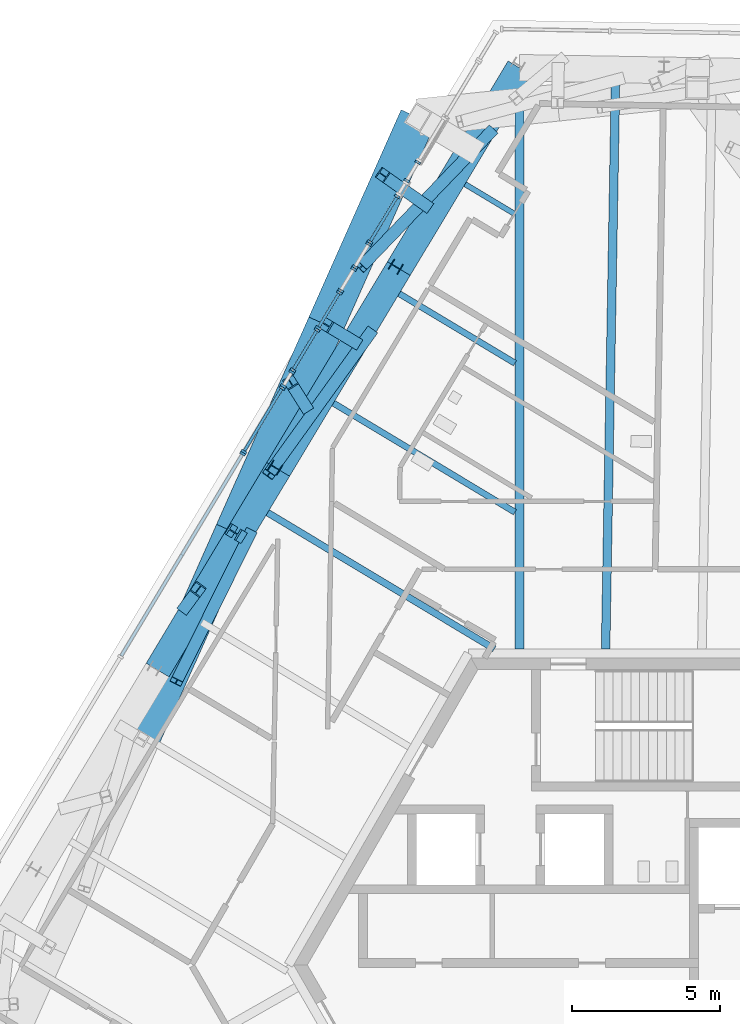
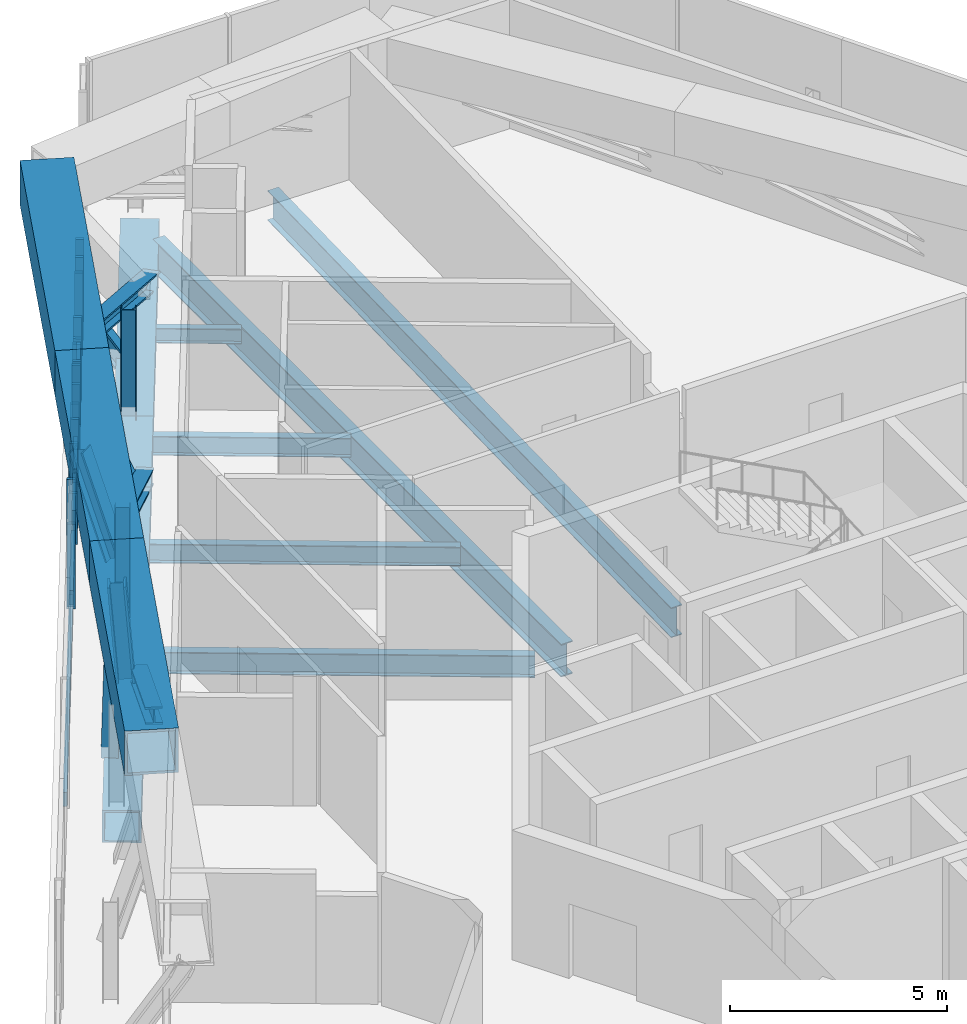
# One storey, part 7 of 28: 38 members, 6 beams, 9 elements without a shape of their own.
"""IFC4 building model written with IfcOpenShell, lengths in metres."""

from ifc_helpers import new_model, si_unit, direction, frame, origin, origin_2d, place, context, subcontext, project, spatial, rectangle, hollow_rectangle, i_section, extrude, source, transform, mapped, material, material_profile, profile_set, type_object, element, aggregate, save


model = new_model("IFC4")

# Units and contexts
model_context = context("Model", 3, precision=1e-05, world=origin(), true_north=direction((0.0, 1.0)))
body_context = subcontext(model_context, "Body", "Model", "MODEL_VIEW")
ifc_project = project(units=[si_unit("LENGTHUNIT", "METRE"), si_unit("AREAUNIT", "SQUARE_METRE"), si_unit("VOLUMEUNIT", "CUBIC_METRE"), si_unit("PLANEANGLEUNIT", "RADIAN"), si_unit("MASSUNIT", "GRAM", prefix="KILO")], contexts=[model_context])

# Site, building, storey
site_placement = place(None, origin())
site = spatial("IfcSite", under=ifc_project, at=site_placement, CompositionType="ELEMENT")
building_placement = place(site_placement, origin())
building = spatial("IfcBuilding", under=site, at=building_placement, Name="Triune Harvest Tower", CompositionType="ELEMENT")
storey_placement = place(building_placement, frame((0.0, 0.0, 215.89990234375)))
storey = spatial("IfcBuildingStorey", under=building, at=storey_placement, Name="L56", CompositionType="ELEMENT", Elevation=215.89990234375)

# Beams
ifc_material_1 = material(Name="Steel ASTM A992 Gr 50", Category="steel")
ifc_material_profile_1 = material_profile(ifc_material_1, i_section(OverallWidth=0.180908203125, OverallDepth=0.41650390625, WebThickness=0.010986328125, FlangeThickness=0.01806640625, at=origin_2d()), Name="W16x57")
ifc_profile_set_1 = profile_set([ifc_material_profile_1], Name="Steel ASTM A992 Gr 50")
beam_type_1 = type_object("IfcBeamType", Name="JT-1 Floor joist W16x57", PredefinedType="JOIST", material=ifc_profile_set_1)
beam_1_placement = place(storey_placement, frame((-6.200439453125, 26.425537109375, -0.458251953125), z_axis=(0.857208325272, -0.514969792399, 0.0), x_axis=(0.514969792399, 0.857208325272, 0.0)))
element("IfcBeam", 1, at=beam_1_placement, inside=storey, type_object=beam_type_1, Name="beam/L56/JT13", PredefinedType="JOIST", context=body_context, shape_type="SweptSolid", body=[
    extrude(i_section(OverallWidth=0.180908203125, OverallDepth=0.41650390625, WebThickness=0.010986328125, FlangeThickness=0.01806640625, at=origin_2d()), origin(), (0.0, 0.0, 1.0), 1.968994140625),
])
ifc_material_2 = material(Name="Steel ASTM A992 Gr 50", Category="steel")
ifc_material_profile_2 = material_profile(ifc_material_2, i_section(OverallWidth=0.2919921875, OverallDepth=0.8408203125, WebThickness=0.0146484375, FlangeThickness=0.021728515625, at=origin_2d()), Name="W33x130")
ifc_profile_set_2 = profile_set([ifc_material_profile_2], Name="Steel ASTM A992 Gr 50")
beam_type_2 = type_object("IfcBeamType", Name="JT-6 Floor joist W33x130", PredefinedType="JOIST", material=ifc_profile_set_2)
beam_2_placement = place(storey_placement, frame((-1.108642578125, 29.85693359375, -0.67041015625), z_axis=(-0.017454239969, -0.99984766315, 0.0), x_axis=(0.99984766315, -0.017454239969, 0.0)))
element("IfcBeam", 2, at=beam_2_placement, inside=storey, type_object=beam_type_2, Name="beam/L56/JT12", PredefinedType="JOIST", context=body_context, shape_type="SweptSolid", body=[
    extrude(i_section(OverallWidth=0.2919921875, OverallDepth=0.8408203125, WebThickness=0.0146484375, FlangeThickness=0.021728515625, at=origin_2d()), origin(), (0.0, 0.0, 1.0), 19.162841796875),
])

# Members
ifc_material_3 = material(Name="Steel ASTM A572 Gr 50", Category="steel")
ifc_material_profile_3 = material_profile(ifc_material_3, hollow_rectangle(XDim=0.89990234375, YDim=0.89990234375, WallThickness=0.050048828125, at=origin_2d()), Name="Box 900x900x50")
ifc_profile_set_3 = profile_set([ifc_material_profile_3], Name="Steel ASTM A572 Gr 50")
member_type_1 = type_object("IfcMemberType", Name="TC-2 Belt truss chord Box 900x900x50", PredefinedType="CHORD", material=ifc_profile_set_3)
member_1_placement = place(storey_placement, frame((-4.359130859375, 30.36376953125, -0.699951171875), z_axis=(-0.5150210223, -0.857177546713, 0.0), x_axis=(0.857177546713, -0.5150210223, 0.0)))
element("IfcMember", 3, at=member_1_placement, inside=storey, type_object=member_type_1, Name="truss/L56/TCB9", PredefinedType="CHORD", context=body_context, shape_type="SweptSolid", body=[
    extrude(hollow_rectangle(XDim=0.89990234375, YDim=0.89990234375, WallThickness=0.050048828125, at=origin_2d()), origin(), (0.0, 0.0, 1.0), 7.927490234375),
])
ifc_material_4 = material(Name="Steel ASTM A992 Gr 50", Category="steel")
ifc_material_profile_4 = material_profile(ifc_material_4, i_section(OverallWidth=0.40380859375, OverallDepth=0.406494140625, WebThickness=0.027099609375, FlangeThickness=0.043701171875, at=origin_2d()), Name="W14x233")
ifc_profile_set_4 = profile_set([ifc_material_profile_4], Name="Steel ASTM A992 Gr 50")
member_type_2 = type_object("IfcMemberType", Name="TD-3 Belt truss diagonal W14x233", PredefinedType="BRACE", material=ifc_profile_set_4)
member_2_placement = place(storey_placement, frame((-9.371337890625, 21.439453125, -0.324951171875), z_axis=(-0.529971963322, -0.737015535278, 0.419449423473), x_axis=(0.811888987344, -0.583811846599, 0.0)))
element("IfcMember", 4, at=member_2_placement, inside=storey, type_object=member_type_2, Name="truss/L56/TD19", PredefinedType="BRACE", context=body_context, shape_type="SweptSolid", body=[
    extrude(i_section(OverallWidth=0.40380859375, OverallDepth=0.406494140625, WebThickness=0.027099609375, FlangeThickness=0.043701171875, at=origin_2d()), origin(), (0.0, 0.0, 1.0), 6.55615234375),
])

# Curtain wall, member
ifc_material_5 = material(Name="Aluminium bronze anodised", Category="aluminium")
curtain_wall_type = type_object("IfcCurtainWallType", Name="CW-5 Plant louvre wall", PredefinedType="NOTDEFINED", material=ifc_material_5)
curtain_wall_1_placement = place(storey_placement, origin())
curtain_wall_1 = element("IfcCurtainWall", 5, at=curtain_wall_1_placement, inside=storey, type_object=curtain_wall_type, Name="CW-5 B5-F3 L56 run 501")
ifc_material_6 = material(Name="Aluminium bronze anodised", Category="aluminium")
ifc_material_profile_5 = material_profile(ifc_material_6, rectangle(XDim=0.10009765625, YDim=0.39990234375, at=origin_2d()), Name="TR-5 transom 100 x 400")
ifc_profile_set_5 = profile_set([ifc_material_profile_5], Name="Aluminium bronze anodised")
member_type_3 = type_object("IfcMemberType", Name="TR-5 transom 100 x 400", PredefinedType="USERDEFINED", material=ifc_profile_set_5)
member_3_placement = place(storey_placement, frame((-8.513916015625, 25.97705078125, 0.2001953125), z_axis=(-0.515080071845, -0.857142064997, 0.0), x_axis=(0.857142064997, -0.515080071845, 0.0)))
member_3 = element("IfcMember", 6, at=member_3_placement, type_object=member_type_3, Name="CW-5 transom B5-F3 501.1", ObjectType="TRANSOM", PredefinedType="USERDEFINED", context=body_context, shape_type="SweptSolid", body=[
    extrude(rectangle(XDim=0.10009765625, YDim=0.39990234375, at=origin_2d()), origin(), (0.0, 0.0, 1.0), 1.72021484375),
])

curtain_wall_2_placement = place(storey_placement, origin())
curtain_wall_2 = element("IfcCurtainWall", 7, at=curtain_wall_2_placement, inside=storey, type_object=curtain_wall_type, Name="CW-5 B5-F3 L56 run 1101")
member_4_placement = place(storey_placement, frame((-12.41162109375, 19.490234375, 0.2001953125), z_axis=(-0.515086030561, -0.857138484214, 0.0), x_axis=(0.857138484214, -0.515086030561, 0.0)))
member_4 = element("IfcMember", 8, at=member_4_placement, type_object=member_type_3, Name="CW-5 transom B5-F3 1101.1", ObjectType="TRANSOM", PredefinedType="USERDEFINED", context=body_context, shape_type="SweptSolid", body=[
    extrude(rectangle(XDim=0.10009765625, YDim=0.39990234375, at=origin_2d()), origin(), (0.0, 0.0, 1.0), 2.432373046875),
])

# Beams
ifc_material_7 = material(Name="Steel ASTM A992 Gr 50", Category="steel")
ifc_material_profile_6 = material_profile(ifc_material_7, i_section(OverallWidth=0.307373046875, OverallDepth=0.922119140625, WebThickness=0.018310546875, FlangeThickness=0.030029296875, at=origin_2d()), Name="W36x182")
ifc_profile_set_6 = profile_set([ifc_material_profile_6], Name="Steel ASTM A992 Gr 50")
beam_type_3 = type_object("IfcBeamType", Name="HG-2 Hip girder W36x182", PredefinedType="BEAM", material=ifc_profile_set_6)
shared_shape_1 = source(origin(), body_context, "Body", "SweptSolid", [
    extrude(i_section(OverallWidth=0.307373046875, OverallDepth=0.922119140625, WebThickness=0.018310546875, FlangeThickness=0.030029296875, at=origin_2d()), origin(), (0.0, 0.0, 1.0), 18.79296875),
])
beam_3_placement = place(storey_placement, frame((-4.359130859375, 29.489990234375, -0.7109375), z_axis=(0.0, -1.0, 0.0), x_axis=(1.0, 0.0, 0.0)))
element("IfcBeam", 9, at=beam_3_placement, inside=storey, type_object=beam_type_3, Name="beam/L56/HG4", PredefinedType="BEAM", context=body_context, shape_type="MappedRepresentation", body=[
    mapped(shared_shape_1, transform((0.0, 0.0, 0.0), scale=1.0)),
])
ifc_material_8 = material(Name="Steel ASTM A992 Gr 50", Category="steel")
ifc_material_profile_7 = material_profile(ifc_material_8, i_section(OverallWidth=0.2099609375, OverallDepth=0.535888671875, WebThickness=0.010986328125, FlangeThickness=0.017333984375, at=origin_2d()), Name="W21x68")
ifc_profile_set_7 = profile_set([ifc_material_profile_7], Name="Steel ASTM A992 Gr 50")
beam_type_4 = type_object("IfcBeamType", Name="JT-2 Floor joist W21x68", PredefinedType="JOIST", material=ifc_profile_set_7)
shared_shape_2 = source(origin(), body_context, "Body", "SweptSolid", [
    extrude(i_section(OverallWidth=0.2099609375, OverallDepth=0.535888671875, WebThickness=0.010986328125, FlangeThickness=0.017333984375, at=origin_2d()), origin(), (0.0, 0.0, 1.0), 4.56689453125),
])
beam_4_placement = place(storey_placement, frame((-8.42724609375, 22.71923828125, -0.517822265625), z_axis=(0.857172001178, -0.515030251924, 0.0), x_axis=(0.515030251924, 0.857172001178, 0.0)))
element("IfcBeam", 10, at=beam_4_placement, inside=storey, type_object=beam_type_4, Name="beam/L56/JT14", PredefinedType="JOIST", context=body_context, shape_type="MappedRepresentation", body=[
    mapped(shared_shape_2, transform((0.0, 0.0, 0.0), scale=1.0)),
])
shared_shape_3 = source(origin(), body_context, "Body", "SweptSolid", [
    extrude(i_section(OverallWidth=0.2099609375, OverallDepth=0.535888671875, WebThickness=0.010986328125, FlangeThickness=0.017333984375, at=origin_2d()), origin(), (0.0, 0.0, 1.0), 7.1650390625),
])
beam_5_placement = place(storey_placement, frame((-10.654296875, 19.012939453125, -0.517822265625), z_axis=(0.85717105737, -0.515031822712, 0.0), x_axis=(0.515031822712, 0.85717105737, 0.0)))
element("IfcBeam", 11, at=beam_5_placement, inside=storey, type_object=beam_type_4, Name="beam/L56/JT15", PredefinedType="JOIST", context=body_context, shape_type="MappedRepresentation", body=[
    mapped(shared_shape_3, transform((0.0, 0.0, 0.0), scale=1.0)),
])
ifc_material_9 = material(Name="Steel ASTM A992 Gr 50", Category="steel")
ifc_material_profile_8 = material_profile(ifc_material_9, i_section(OverallWidth=0.22900390625, OverallDepth=0.612060546875, WebThickness=0.011962890625, FlangeThickness=0.01953125, at=origin_2d()), Name="W24x84")
ifc_profile_set_8 = profile_set([ifc_material_profile_8], Name="Steel ASTM A992 Gr 50")
beam_type_5 = type_object("IfcBeamType", Name="JT-3 Floor joist W24x84", PredefinedType="JOIST", material=ifc_profile_set_8)
shared_shape_4 = source(origin(), body_context, "Body", "SweptSolid", [
    extrude(i_section(OverallWidth=0.22900390625, OverallDepth=0.612060546875, WebThickness=0.011962890625, FlangeThickness=0.01953125, at=origin_2d()), origin(), (0.0, 0.0, 1.0), 8.94970703125),
])
beam_6_placement = place(storey_placement, frame((-12.88134765625, 15.306396484375, -0.555908203125), z_axis=(0.857170219587, -0.515033217039, 0.0), x_axis=(0.515033217039, 0.857170219587, 0.0)))
element("IfcBeam", 12, at=beam_6_placement, inside=storey, type_object=beam_type_5, Name="beam/L56/JT16", PredefinedType="JOIST", context=body_context, shape_type="MappedRepresentation", body=[
    mapped(shared_shape_4, transform((0.0, 0.0, 0.0), scale=1.0)),
])

# Members
ifc_material_10 = material(Name="Steel ASTM A992 Gr 50", Category="steel")
ifc_material_profile_9 = material_profile(ifc_material_10, i_section(OverallWidth=0.370849609375, OverallDepth=0.36328125, WebThickness=0.013427734375, FlangeThickness=0.021728515625, at=origin_2d()), Name="W14x109")
ifc_profile_set_9 = profile_set([ifc_material_profile_9], Name="Steel ASTM A992 Gr 50")
member_type_4 = type_object("IfcMemberType", Name="WP-5 Roof edge post W14x109", PredefinedType="POST", material=ifc_profile_set_9)
shared_shape_5 = source(origin(), body_context, "Body", "SweptSolid", [
    extrude(i_section(OverallWidth=0.370849609375, OverallDepth=0.36328125, WebThickness=0.013427734375, FlangeThickness=0.021728515625, at=origin_2d()), origin(), (0.0, 0.0, 1.0), 2.9755859375),
])
for number, where, z_axis, x_axis, name in (
    (13, (-8.544921875, 23.630615234375, -0.25), (0.0, 0.0, 1.0), (-0.51503657887, -0.857168199612, 0.0), "post/L56/W9"),
    (14, (-12.627685546875, 16.835693359375, -0.25), (0.0, 0.0, 1.0), (-0.51503657887, -0.857168199612, 0.0), "post/L56/W10"),
):
    element("IfcMember", number, at=place(storey_placement, frame(where, z_axis=z_axis, x_axis=x_axis)), inside=storey, type_object=member_type_4, Name=name, PredefinedType="POST", context=body_context, shape_type="MappedRepresentation", body=[
        mapped(shared_shape_5, transform((0.0, 0.0, 0.0), scale=1.0)),
    ])
shared_shape_6 = source(origin(), body_context, "Body", "SweptSolid", [
    extrude(hollow_rectangle(XDim=0.89990234375, YDim=0.89990234375, WallThickness=0.050048828125, at=origin_2d()), origin(), (0.0, 0.0, 1.0), 7.92724609375),
])
for number, where, z_axis, x_axis, name in (
    (15, (-8.44189453125, 23.568603515625, -0.699951171875), (-0.515034618449, -0.857169377544, 0.0), (0.857169377544, -0.515034618449, 0.0), "truss/L56/TCB10"),
    (16, (-12.524658203125, 16.773681640625, -0.699951171875), (-0.515034618449, -0.857169377544, 0.0), (0.857169377544, -0.515034618449, 0.0), "truss/L56/TCB11"),
):
    element("IfcMember", number, at=place(storey_placement, frame(where, z_axis=z_axis, x_axis=x_axis)), inside=storey, type_object=member_type_1, Name=name, PredefinedType="CHORD", context=body_context, shape_type="MappedRepresentation", body=[
        mapped(shared_shape_6, transform((0.0, 0.0, 0.0), scale=1.0)),
    ])
ifc_material_11 = material(Name="Steel ASTM A572 Gr 50", Category="steel")
ifc_material_profile_10 = material_profile(ifc_material_11, hollow_rectangle(XDim=1.25, YDim=1.25, WallThickness=0.070068359375, at=origin_2d()), Name="Box 1250x1250x70")
ifc_profile_set_10 = profile_set([ifc_material_profile_10], Name="Steel ASTM A572 Gr 50")
member_type_5 = type_object("IfcMemberType", Name="TC-1 Belt truss chord Box 1250x1250x70", PredefinedType="CHORD", material=ifc_profile_set_10)
shared_shape_7 = source(origin(), body_context, "Body", "SweptSolid", [
    extrude(hollow_rectangle(XDim=1.25, YDim=1.25, WallThickness=0.070068359375, at=origin_2d()), origin(), (0.0, 0.0, 1.0), 7.679443359375),
])
for number, where, z_axis, x_axis, name in (
    (17, (-10.91650390625, 21.6728515625, 3.01513671875), (-0.406734215399, -0.91354653851, 0.0), (0.91354653851, -0.406734215399, 0.0), "truss/L56/TCT10"),
    (18, (-14.0400390625, 14.6572265625, 3.01513671875), (-0.406772560004, -0.91352946555, 0.0), (0.91352946555, -0.406772560004, 0.0), "truss/L56/TCT11"),
):
    element("IfcMember", number, at=place(storey_placement, frame(where, z_axis=z_axis, x_axis=x_axis)), inside=storey, type_object=member_type_5, Name=name, PredefinedType="CHORD", context=body_context, shape_type="MappedRepresentation", body=[
        mapped(shared_shape_7, transform((0.0, 0.0, 0.0), scale=1.0)),
    ])
shared_shape_8 = source(origin(), body_context, "Body", "SweptSolid", [
    extrude(hollow_rectangle(XDim=1.25, YDim=1.25, WallThickness=0.070068359375, at=origin_2d()), origin(), (0.0, 0.0, 1.0), 7.67919921875),
])
member_5_placement = place(storey_placement, frame((-7.793212890625, 28.688232421875, 3.01513671875), z_axis=(-0.406719495596, -0.913553092, 0.0), x_axis=(0.913553092, -0.406719495596, 0.0)))
element("IfcMember", 19, at=member_5_placement, inside=storey, type_object=member_type_5, Name="truss/L56/TCT9", PredefinedType="CHORD", context=body_context, shape_type="MappedRepresentation", body=[
    mapped(shared_shape_8, transform((0.0, 0.0, 0.0), scale=1.0)),
])
ifc_material_12 = material(Name="Steel ASTM A992 Gr 50", Category="steel")
ifc_material_profile_11 = material_profile(ifc_material_12, i_section(OverallWidth=0.411376953125, OverallDepth=0.434326171875, WebThickness=0.035888671875, FlangeThickness=0.057373046875, at=origin_2d()), Name="W14x311")
ifc_profile_set_11 = profile_set([ifc_material_profile_11], Name="Steel ASTM A992 Gr 50")
member_type_6 = type_object("IfcMemberType", Name="TV-1 Belt truss strut W14x311", PredefinedType="STRUT", material=ifc_profile_set_11)
shared_shape_9 = source(origin(), body_context, "Body", "SweptSolid", [
    extrude(i_section(OverallWidth=0.411376953125, OverallDepth=0.434326171875, WebThickness=0.035888671875, FlangeThickness=0.057373046875, at=origin_2d()), origin(), (0.0, 0.0, 1.0), 2.9326171875),
])
member_6_placement = place(storey_placement, frame((-9.935302734375, 21.083251953125, -0.27490234375), z_axis=(-0.33458449273, 0.201050398095, 0.920669297115), x_axis=(-0.515060196566, -0.857154008282, 0.0)))
element("IfcMember", 20, at=member_6_placement, inside=storey, type_object=member_type_6, Name="truss/L56/TS10", PredefinedType="STRUT", context=body_context, shape_type="MappedRepresentation", body=[
    mapped(shared_shape_9, transform((0.0, 0.0, 0.0), scale=1.0)),
])
shared_shape_10 = source(origin(), body_context, "Body", "SweptSolid", [
    extrude(i_section(OverallWidth=0.411376953125, OverallDepth=0.434326171875, WebThickness=0.035888671875, FlangeThickness=0.057373046875, at=origin_2d()), origin(), (0.0, 0.0, 1.0), 2.7080078125),
])
member_7_placement = place(storey_placement, frame((-13.861083984375, 14.5498046875, -0.27490234375), z_axis=(-0.066083689147, 0.039668244508, 0.997025263675), x_axis=(-0.514667759701, -0.857389699684, 0.0)))
element("IfcMember", 21, at=member_7_placement, inside=storey, type_object=member_type_6, Name="truss/L56/TS11", PredefinedType="STRUT", context=body_context, shape_type="MappedRepresentation", body=[
    mapped(shared_shape_10, transform((0.0, 0.0, 0.0), scale=1.0)),
])
shared_shape_11 = source(origin(), body_context, "Body", "SweptSolid", [
    extrude(i_section(OverallWidth=0.40380859375, OverallDepth=0.406494140625, WebThickness=0.027099609375, FlangeThickness=0.043701171875, at=origin_2d()), origin(), (0.0, 0.0, 1.0), 6.96337890625),
])
member_8_placement = place(storey_placement, frame((-5.28857421875, 28.234375, -0.324951171875), z_axis=(-0.636740681499, -0.662265003735, 0.394925777017), x_axis=(0.720861664568, -0.693078971371, 0.0)))
element("IfcMember", 22, at=member_8_placement, inside=storey, type_object=member_type_2, Name="truss/L56/TD17", PredefinedType="BRACE", context=body_context, shape_type="MappedRepresentation", body=[
    mapped(shared_shape_11, transform((0.0, 0.0, 0.0), scale=1.0)),
])
shared_shape_12 = source(origin(), body_context, "Body", "SweptSolid", [
    extrude(i_section(OverallWidth=0.40380859375, OverallDepth=0.406494140625, WebThickness=0.027099609375, FlangeThickness=0.043701171875, at=origin_2d()), origin(), (0.0, 0.0, 1.0), 3.289306640625),
])
member_9_placement = place(storey_placement, frame((-7.512451171875, 25.697998046875, -0.324951171875), z_axis=(-0.448371113101, 0.316257128443, 0.836029170332), x_axis=(-0.576391062177, -0.817173998266, 0.0)))
element("IfcMember", 23, at=member_9_placement, inside=storey, type_object=member_type_2, Name="truss/L56/TD18", PredefinedType="BRACE", context=body_context, shape_type="MappedRepresentation", body=[
    mapped(shared_shape_12, transform((0.0, 0.0, 0.0), scale=1.0)),
])
shared_shape_13 = source(origin(), body_context, "Body", "SweptSolid", [
    extrude(i_section(OverallWidth=0.40380859375, OverallDepth=0.406494140625, WebThickness=0.027099609375, FlangeThickness=0.043701171875, at=origin_2d()), origin(), (0.0, 0.0, 1.0), 2.91552734375),
])
member_10_placement = place(storey_placement, frame((-11.59521484375, 18.903076171875, -0.324951171875), z_axis=(-0.176857076951, 0.281112314073, 0.943237743736), x_axis=(-0.846422260482, -0.532512306863, 0.0)))
element("IfcMember", 24, at=member_10_placement, inside=storey, type_object=member_type_2, Name="truss/L56/TD20", PredefinedType="BRACE", context=body_context, shape_type="MappedRepresentation", body=[
    mapped(shared_shape_13, transform((0.0, 0.0, 0.0), scale=1.0)),
])
shared_shape_14 = source(origin(), body_context, "Body", "SweptSolid", [
    extrude(i_section(OverallWidth=0.40380859375, OverallDepth=0.406494140625, WebThickness=0.027099609375, FlangeThickness=0.043701171875, at=origin_2d()), origin(), (0.0, 0.0, 1.0), 2.849365234375),
])
member_11_placement = place(storey_placement, frame((-15.677978515625, 12.108154296875, -0.324951171875), z_axis=(0.155691283637, 0.210273203107, 0.96516599829), x_axis=(-0.803679009085, 0.595063064184, 0.0)))
element("IfcMember", 25, at=member_11_placement, inside=storey, type_object=member_type_2, Name="truss/L56/TD22", PredefinedType="BRACE", context=body_context, shape_type="MappedRepresentation", body=[
    mapped(shared_shape_14, transform((0.0, 0.0, 0.0), scale=1.0)),
])
shared_shape_15 = source(origin(), body_context, "Body", "SweptSolid", [
    extrude(i_section(OverallWidth=0.40380859375, OverallDepth=0.406494140625, WebThickness=0.027099609375, FlangeThickness=0.043701171875, at=origin_2d()), origin(), (0.0, 0.0, 1.0), 6.278564453125),
])
member_12_placement = place(storey_placement, frame((-13.4541015625, 14.64453125, -0.324951171875), z_axis=(-0.400633013242, -0.804765683981, 0.438001578293), x_axis=(0.895204424574, -0.445655739582, 0.0)))
element("IfcMember", 26, at=member_12_placement, inside=storey, type_object=member_type_2, Name="truss/L56/TD21", PredefinedType="BRACE", context=body_context, shape_type="MappedRepresentation", body=[
    mapped(shared_shape_15, transform((0.0, 0.0, 0.0), scale=1.0)),
])

# Curtain wall, member
curtain_wall_3_placement = place(storey_placement, origin())
curtain_wall_3 = element("IfcCurtainWall", 27, at=curtain_wall_3_placement, inside=storey, type_object=curtain_wall_type, Name="CW-5 B5-F3 L56 run 1201")
ifc_material_13 = material(Name="Aluminium bronze anodised", Category="aluminium")
ifc_material_profile_12 = material_profile(ifc_material_13, rectangle(XDim=0.199951171875, YDim=0.080078125, at=origin_2d()), Name="MU-5 mullion 80 x 200")
ifc_profile_set_12 = profile_set([ifc_material_profile_12], Name="Aluminium bronze anodised")
member_type_7 = type_object("IfcMemberType", Name="MU-5 mullion 80 x 200", PredefinedType="MULLION", material=ifc_profile_set_12)
shared_shape_16 = source(origin(), body_context, "Body", "SweptSolid", [
    extrude(rectangle(XDim=0.199951171875, YDim=0.080078125, at=origin_2d()), origin(), (0.0, 0.0, 1.0), 3.64013671875),
])
member_13_placement = place(storey_placement, frame((-13.726318359375, 17.30224609375, 0.0), z_axis=(0.0, 0.0, 1.0), x_axis=(0.857169585878, -0.515034271719, 0.0)))
member_13 = element("IfcMember", 28, at=member_13_placement, type_object=member_type_7, Name="CW-5 mullion B5-F3 1201.1", PredefinedType="MULLION", context=body_context, shape_type="MappedRepresentation", body=[
    mapped(shared_shape_16, transform((0.0, 0.0, 0.0), scale=1.0)),
])

# Curtain wall, members
curtain_wall_4_placement = place(storey_placement, origin())
curtain_wall_4 = element("IfcCurtainWall", 29, at=curtain_wall_4_placement, inside=storey, type_object=curtain_wall_type, Name="CW-5 B5-F3 L56 run 301")
shared_shape_17 = source(origin(), body_context, "Body", "SweptSolid", [
    extrude(rectangle(XDim=0.199951171875, YDim=0.080078125, at=origin_2d()), origin(), (0.0, 0.0, 1.0), 2.330078125),
])
member_14_placement = place(storey_placement, frame((-7.79931640625, 27.16650390625, 0.0), z_axis=(0.0, 0.0, 1.0), x_axis=(0.857208736422, -0.514969108007, 0.0)))
member_14 = element("IfcMember", 30, at=member_14_placement, type_object=member_type_7, Name="CW-5 mullion B5-F3 301.1", PredefinedType="MULLION", context=body_context, shape_type="MappedRepresentation", body=[
    mapped(shared_shape_17, transform((0.0, 0.0, 0.0), scale=1.0)),
])
member_15_placement = place(storey_placement, frame((-8.174072265625, 26.54296875, 0.0), z_axis=(0.0, 0.0, 1.0), x_axis=(0.857208736422, -0.514969108007, 0.0)))
member_15 = element("IfcMember", 31, at=member_15_placement, type_object=member_type_7, Name="CW-5 mullion B5-F3 301.2", PredefinedType="MULLION", context=body_context, shape_type="MappedRepresentation", body=[
    mapped(shared_shape_17, transform((0.0, 0.0, 0.0), scale=1.0)),
])
aggregate(curtain_wall_4, [member_14, member_15])

# Member
member_16_placement = place(storey_placement, frame((-8.493408203125, 26.011474609375, 0.0), z_axis=(0.0, 0.0, 1.0), x_axis=(0.857168958272, -0.515035316241, 0.0)))
member_16 = element("IfcMember", 32, at=member_16_placement, type_object=member_type_7, Name="CW-5 mullion B5-F3 501.1", PredefinedType="MULLION", context=body_context, shape_type="MappedRepresentation", body=[
    mapped(shared_shape_17, transform((0.0, 0.0, 0.0), scale=1.0)),
])

member_17_placement = place(storey_placement, frame((-9.42041015625, 24.46826171875, 0.0), z_axis=(0.0, 0.0, 1.0), x_axis=(0.857168958272, -0.515035316241, 0.0)))
member_17 = element("IfcMember", 33, at=member_17_placement, type_object=member_type_7, Name="CW-5 mullion B5-F3 501.2", PredefinedType="MULLION", context=body_context, shape_type="MappedRepresentation", body=[
    mapped(shared_shape_17, transform((0.0, 0.0, 0.0), scale=1.0)),
])

aggregate(curtain_wall_1, [member_16, member_17, member_3])

# Curtain wall, members
curtain_wall_5_placement = place(storey_placement, origin())
curtain_wall_5 = element("IfcCurtainWall", 34, at=curtain_wall_5_placement, inside=storey, type_object=curtain_wall_type, Name="CW-5 B5-F3 L56 run 701")
member_18_placement = place(storey_placement, frame((-9.969482421875, 23.5546875, 0.0), z_axis=(0.0, 0.0, 1.0), x_axis=(0.857172799912, -0.515028922577, 0.0)))
member_18 = element("IfcMember", 35, at=member_18_placement, type_object=member_type_7, Name="CW-5 mullion B5-F3 701.1", PredefinedType="MULLION", context=body_context, shape_type="MappedRepresentation", body=[
    mapped(shared_shape_17, transform((0.0, 0.0, 0.0), scale=1.0)),
])
member_19_placement = place(storey_placement, frame((-10.4111328125, 22.819580078125, 0.0), z_axis=(0.0, 0.0, 1.0), x_axis=(0.857172799912, -0.515028922577, 0.0)))
member_19 = element("IfcMember", 36, at=member_19_placement, type_object=member_type_7, Name="CW-5 mullion B5-F3 701.2", PredefinedType="MULLION", context=body_context, shape_type="MappedRepresentation", body=[
    mapped(shared_shape_17, transform((0.0, 0.0, 0.0), scale=1.0)),
])
aggregate(curtain_wall_5, [member_18, member_19])

curtain_wall_6_placement = place(storey_placement, origin())
curtain_wall_6 = element("IfcCurtainWall", 37, at=curtain_wall_6_placement, inside=storey, type_object=curtain_wall_type, Name="CW-5 B5-F3 L56 run 901")
member_20_placement = place(storey_placement, frame((-11.208984375, 21.49169921875, 0.0), z_axis=(0.0, 0.0, 1.0), x_axis=(0.857180319761, -0.515016406937, 0.0)))
member_20 = element("IfcMember", 38, at=member_20_placement, type_object=member_type_7, Name="CW-5 mullion B5-F3 901.1", PredefinedType="MULLION", context=body_context, shape_type="MappedRepresentation", body=[
    mapped(shared_shape_17, transform((0.0, 0.0, 0.0), scale=1.0)),
])
member_21_placement = place(storey_placement, frame((-12.02587890625, 20.132080078125, 0.0), z_axis=(0.0, 0.0, 1.0), x_axis=(0.857180319761, -0.515016406937, 0.0)))
member_21 = element("IfcMember", 39, at=member_21_placement, type_object=member_type_7, Name="CW-5 mullion B5-F3 901.2", PredefinedType="MULLION", context=body_context, shape_type="MappedRepresentation", body=[
    mapped(shared_shape_17, transform((0.0, 0.0, 0.0), scale=1.0)),
])

# Member
member_22_placement = place(storey_placement, frame((-12.39111328125, 19.5244140625, 0.0), z_axis=(0.0, 0.0, 1.0), x_axis=(0.857172829576, -0.515028873207, 0.0)))
member_22 = element("IfcMember", 40, at=member_22_placement, type_object=member_type_7, Name="CW-5 mullion B5-F3 1101.1", PredefinedType="MULLION", context=body_context, shape_type="MappedRepresentation", body=[
    mapped(shared_shape_17, transform((0.0, 0.0, 0.0), scale=1.0)),
])

member_23_placement = place(storey_placement, frame((-13.68505859375, 17.370849609375, 0.0), z_axis=(0.0, 0.0, 1.0), x_axis=(0.857172829576, -0.515028873207, 0.0)))
member_23 = element("IfcMember", 41, at=member_23_placement, type_object=member_type_7, Name="CW-5 mullion B5-F3 1101.2", PredefinedType="MULLION", context=body_context, shape_type="MappedRepresentation", body=[
    mapped(shared_shape_17, transform((0.0, 0.0, 0.0), scale=1.0)),
])

aggregate(curtain_wall_2, [member_22, member_23, member_4])

# Curtain wall, member
curtain_wall_7_placement = place(storey_placement, origin())
curtain_wall_7 = element("IfcCurtainWall", 42, at=curtain_wall_7_placement, inside=storey, type_object=curtain_wall_type, Name="CW-5 B5-F3 L56 run 801")
shared_shape_18 = source(origin(), body_context, "Body", "SweptSolid", [
    extrude(rectangle(XDim=0.10009765625, YDim=0.39990234375, at=origin_2d()), origin(), (0.0, 0.0, 1.0), 1.30908203125),
])
member_24_placement = place(storey_placement, frame((-10.472900390625, 22.716796875, 0.2001953125), z_axis=(-0.515098994009, -0.857130693868, 0.0), x_axis=(0.857130693868, -0.515098994009, 0.0)))
member_24 = element("IfcMember", 43, at=member_24_placement, type_object=member_type_3, Name="CW-5 transom B5-F3 801.1", ObjectType="TRANSOM", PredefinedType="USERDEFINED", context=body_context, shape_type="MappedRepresentation", body=[
    mapped(shared_shape_18, transform((0.0, 0.0, 0.0), scale=1.0)),
])

# Curtain wall, members
curtain_wall_8_placement = place(storey_placement, origin())
curtain_wall_8 = element("IfcCurtainWall", 44, at=curtain_wall_8_placement, inside=storey, type_object=curtain_wall_type, Name="CW-5 B5-F3 L56 run 1001")
shared_shape_19 = source(origin(), body_context, "Body", "SweptSolid", [
    extrude(rectangle(XDim=0.199951171875, YDim=0.080078125, at=origin_2d()), origin(), (0.0, 0.0, 1.0), 1.377685546875),
])
member_25_placement = place(storey_placement, frame((-12.067138671875, 20.063720703125, 0.0), z_axis=(0.0, 0.0, 1.0), x_axis=(0.857113923564, -0.515126898961, 0.0)))
member_25 = element("IfcMember", 45, at=member_25_placement, type_object=member_type_7, Name="CW-5 mullion B5-F3 1001.1", PredefinedType="MULLION", context=body_context, shape_type="MappedRepresentation", body=[
    mapped(shared_shape_19, transform((0.0, 0.0, 0.0), scale=1.0)),
])
member_26_placement = place(storey_placement, frame((-12.349853515625, 19.593017578125, 0.0), z_axis=(0.0, 0.0, 1.0), x_axis=(0.857113923564, -0.515126898961, 0.0)))
member_26 = element("IfcMember", 46, at=member_26_placement, type_object=member_type_7, Name="CW-5 mullion B5-F3 1001.2", PredefinedType="MULLION", context=body_context, shape_type="MappedRepresentation", body=[
    mapped(shared_shape_19, transform((0.0, 0.0, 0.0), scale=1.0)),
])
aggregate(curtain_wall_8, [member_25, member_26])

curtain_wall_9_placement = place(storey_placement, origin())
curtain_wall_9 = element("IfcCurtainWall", 47, at=curtain_wall_9_placement, inside=storey, type_object=curtain_wall_type, Name="CW-5 B5-F3 L56 run 601")
shared_shape_20 = source(origin(), body_context, "Body", "SweptSolid", [
    extrude(rectangle(XDim=0.199951171875, YDim=0.080078125, at=origin_2d()), origin(), (0.0, 0.0, 1.0), 1.7939453125),
])
member_27_placement = place(storey_placement, frame((-9.461669921875, 24.399658203125, 0.0), z_axis=(0.0, 0.0, 1.0), x_axis=(0.857134708491, -0.515092313572, 0.0)))
member_27 = element("IfcMember", 48, at=member_27_placement, type_object=member_type_7, Name="CW-5 mullion B5-F3 601.1", PredefinedType="MULLION", context=body_context, shape_type="MappedRepresentation", body=[
    mapped(shared_shape_20, transform((0.0, 0.0, 0.0), scale=1.0)),
])
member_28_placement = place(storey_placement, frame((-9.92822265625, 23.623291015625, 0.0), z_axis=(0.0, 0.0, 1.0), x_axis=(0.857134708491, -0.515092313572, 0.0)))
member_28 = element("IfcMember", 49, at=member_28_placement, type_object=member_type_7, Name="CW-5 mullion B5-F3 601.2", PredefinedType="MULLION", context=body_context, shape_type="MappedRepresentation", body=[
    mapped(shared_shape_20, transform((0.0, 0.0, 0.0), scale=1.0)),
])
aggregate(curtain_wall_9, [member_27, member_28])

# Member
shared_shape_21 = source(origin(), body_context, "Body", "SweptSolid", [
    extrude(rectangle(XDim=0.199951171875, YDim=0.080078125, at=origin_2d()), origin(), (0.0, 0.0, 1.0), 1.850341796875),
])
member_29_placement = place(storey_placement, frame((-10.452392578125, 22.7509765625, 0.0), z_axis=(0.0, 0.0, 1.0), x_axis=(0.857168410073, -0.515036228602, 0.0)))
member_29 = element("IfcMember", 50, at=member_29_placement, type_object=member_type_7, Name="CW-5 mullion B5-F3 801.1", PredefinedType="MULLION", context=body_context, shape_type="MappedRepresentation", body=[
    mapped(shared_shape_21, transform((0.0, 0.0, 0.0), scale=1.0)),
])

member_30_placement = place(storey_placement, frame((-11.167724609375, 21.560302734375, 0.0), z_axis=(0.0, 0.0, 1.0), x_axis=(0.857168410073, -0.515036228602, 0.0)))
member_30 = element("IfcMember", 51, at=member_30_placement, type_object=member_type_7, Name="CW-5 mullion B5-F3 801.2", PredefinedType="MULLION", context=body_context, shape_type="MappedRepresentation", body=[
    mapped(shared_shape_21, transform((0.0, 0.0, 0.0), scale=1.0)),
])

aggregate(curtain_wall_7, [member_29, member_30, member_24])

shared_shape_22 = source(origin(), body_context, "Body", "SweptSolid", [
    extrude(rectangle(XDim=0.10009765625, YDim=0.39990234375, at=origin_2d()), origin(), (0.0, 0.0, 1.0), 1.506103515625),
])
member_31_placement = place(storey_placement, frame((-11.2294921875, 21.45751953125, 0.2001953125), z_axis=(-0.515115368932, -0.857120853025, 0.0), x_axis=(0.857120853025, -0.515115368932, 0.0)))
member_31 = element("IfcMember", 52, at=member_31_placement, type_object=member_type_3, Name="CW-5 transom B5-F3 901.1", ObjectType="TRANSOM", PredefinedType="USERDEFINED", context=body_context, shape_type="MappedRepresentation", body=[
    mapped(shared_shape_22, transform((0.0, 0.0, 0.0), scale=1.0)),
])

aggregate(curtain_wall_6, [member_20, member_21, member_31])

shared_shape_23 = source(origin(), body_context, "Body", "SweptSolid", [
    extrude(rectangle(XDim=0.10009765625, YDim=0.39990234375, at=origin_2d()), origin(), (0.0, 0.0, 1.0), 7.941162109375),
])
member_32_placement = place(storey_placement, frame((-13.746826171875, 17.26806640625, 0.2001953125), z_axis=(-0.515047225014, -0.857161802699, 0.0), x_axis=(0.857161802699, -0.515047225014, 0.0)))
member_32 = element("IfcMember", 53, at=member_32_placement, type_object=member_type_3, Name="CW-5 transom B5-F3 1201.1", ObjectType="TRANSOM", PredefinedType="USERDEFINED", context=body_context, shape_type="MappedRepresentation", body=[
    mapped(shared_shape_23, transform((0.0, 0.0, 0.0), scale=1.0)),
])

aggregate(curtain_wall_3, [member_13, member_32])

save(model, "model.ifc")
